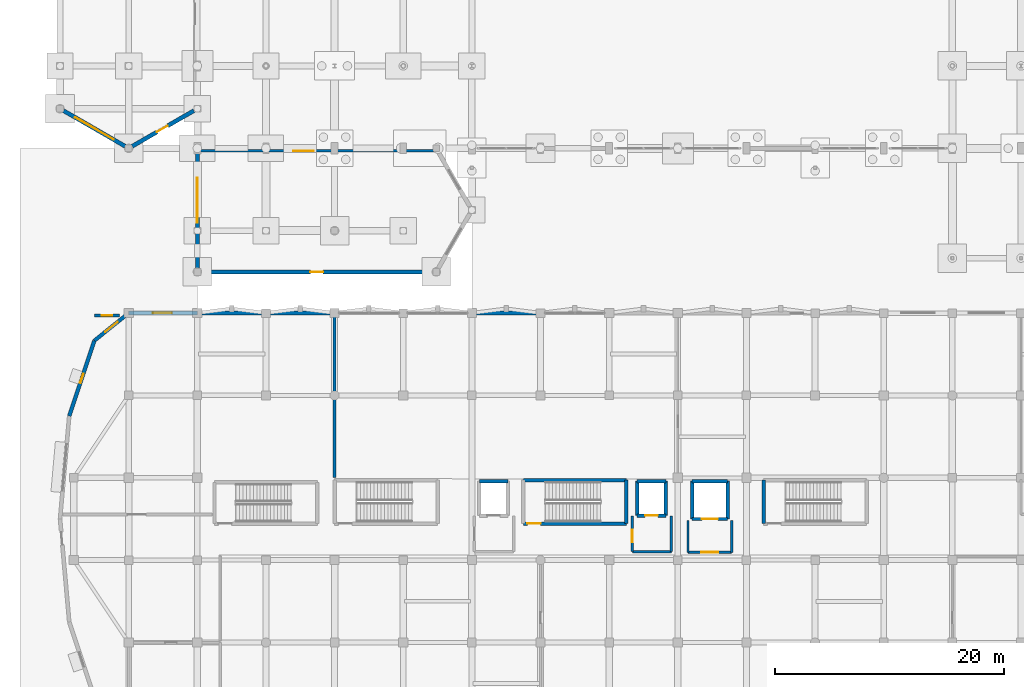
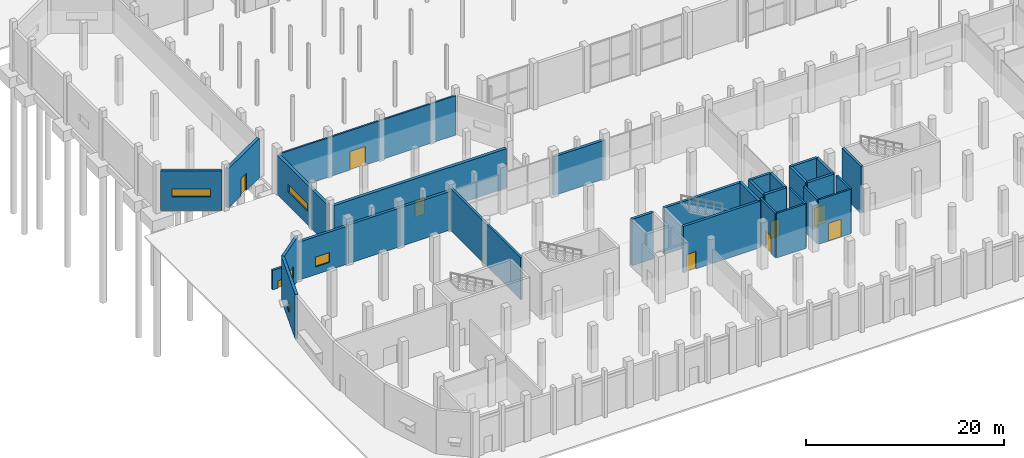
# One storey, part 76 of 103: 32 walls, 9 doors, 5 windows, 14 openings.
"""IFC4 building model written with IfcOpenShell, lengths in metres."""

from ifc_helpers import new_model, si_unit, direction, frame, frame_2d, origin, place, context, subcontext, project, spatial, rectangle, extrude, material, layer, layer_set, type_object, element, fill, save


model = new_model("IFC4")

# Units and contexts
model_context = context("Model", 3, precision=1e-05, world=origin(), true_north=direction((0.0, 1.0)))
body_context = subcontext(model_context, "Body", "Model", "MODEL_VIEW")
ifc_project = project(units=[si_unit("LENGTHUNIT", "METRE"), si_unit("AREAUNIT", "SQUARE_METRE"), si_unit("VOLUMEUNIT", "CUBIC_METRE"), si_unit("PLANEANGLEUNIT", "RADIAN"), si_unit("MASSUNIT", "GRAM", prefix="KILO")], contexts=[model_context])

# Site, building, storey
site_placement = place(None, origin())
site = spatial("IfcSite", under=ifc_project, at=site_placement, CompositionType="ELEMENT")
building_placement = place(site_placement, origin())
building = spatial("IfcBuilding", under=site, at=building_placement, Name="Dunvalen Ferry Terminal", CompositionType="ELEMENT")
storey_placement = place(building_placement, origin())
storey = spatial("IfcBuildingStorey", under=building, at=storey_placement, Name="L00", CompositionType="ELEMENT", Elevation=0.0)

# Wall, opening, door
ifc_material_1 = material(Name="Precast concrete C40/50", Category="concrete")
ifc_layer_1 = layer(ifc_material_1, 0.360107421875, Name="Precast concrete C40/50")
ifc_layer_set_1 = layer_set([ifc_layer_1], Name="Precast concrete C40/50")
wall_type_1 = type_object("IfcWallType", Name="ENV-WL-ANX360", PredefinedType="SOLIDWALL", material=ifc_layer_set_1)
wall_1_placement = place(storey_placement, frame((6.302978515625, 50.574951171875, 0.0), z_axis=(0.0, 0.0, 1.0), x_axis=(0.866025010818, 0.500000680637, 0.0)))
wall_1 = element("IfcWall", 1, at=wall_1_placement, inside=storey, type_object=wall_type_1, Name="L00 V1AW Faceted Precast Wall 01", PredefinedType="SOLIDWALL", context=body_context, shape_type="SweptSolid", body=[
    extrude(rectangle(XDim=6.228515625, YDim=0.360107421875, at=frame_2d((3.1142578125, 0.0))), origin(), (0.0, 0.0, 1.0), 4.8701171875),
])
opening_1_placement = place(wall_1_placement, frame((2.4873046875, 0.0, 0.0)))
opening_1 = element("IfcOpeningElement", 2, at=opening_1_placement, cuts=wall_1, Name="Opening ED-06", PredefinedType="OPENING", context=body_context, shape_type="SweptSolid", body=[
    extrude(rectangle(XDim=1.10009765625, YDim=2.14990234375, at=frame_2d((0.550048828125, 1.074951171875))), frame((0.0, 0.18994140625, 0.0), z_axis=(0.0, -1.0, 0.0), x_axis=(1.0, 0.0, 0.0)), (0.0, 0.0, 1.0), 0.380126953125),
])
ifc_material_2 = material(Name="Marine grade powder-coated aluminium and laminated glass", Category="aluminium")
door_type_1 = type_object("IfcDoorType", Name="ENV-DR-EXT-1100", OperationType="NOTDEFINED", PredefinedType="DOOR", material=ifc_material_2)
door_1_placement = place(opening_1_placement, frame((1.10009765625, 0.0, 0.0), z_axis=(0.0, 0.0, 1.0), x_axis=(-1.0, 0.0, 0.0)))
door_1 = element("IfcDoor", 3, at=door_1_placement, inside=storey, type_object=door_type_1, Name="L00 V1AW Exterior Discharge Door", OperationType="SINGLE_SWING_LEFT", OverallHeight=2.14990234375, OverallWidth=1.10009765625, PredefinedType="DOOR", context=body_context, shape_type="SweptSolid", body=[
    extrude(rectangle(XDim=1.10009765625, YDim=2.14990234375, at=frame_2d((0.550048828125, 1.074951171875))), frame((0.0, 0.02490234375, 0.0), z_axis=(0.0, -1.0, 0.0), x_axis=(1.0, 0.0, 0.0)), (0.0, 0.0, 1.0), 0.050048828125),
])
fill(opening_1, door_1)

# Wall, opening, window
wall_2_placement = place(storey_placement, frame((0.302978515625, 53.689208984375, 0.0), z_axis=(0.0, 0.0, 1.0), x_axis=(0.866025010818, -0.500000680637, 0.0)))
wall_2 = element("IfcWall", 4, at=wall_2_placement, inside=storey, type_object=wall_type_1, Name="L00 V1AW Faceted Precast Wall 06", PredefinedType="SOLIDWALL", context=body_context, shape_type="SweptSolid", body=[
    extrude(rectangle(XDim=6.228515625, YDim=0.360107421875, at=frame_2d((3.1142578125, 0.0))), origin(), (0.0, 0.0, 1.0), 4.8701171875),
])
opening_2_placement = place(wall_2_placement, frame((1.1640625, 0.0, 1.64990234375)))
opening_2 = element("IfcOpeningElement", 5, at=opening_2_placement, cuts=wall_2, Name="Opening W-13", PredefinedType="OPENING", context=body_context, shape_type="SweptSolid", body=[
    extrude(rectangle(XDim=3.89990234375, YDim=0.949951171875, at=frame_2d((1.949951171875, 0.47509765625))), frame((0.0, 0.18994140625, 0.0), z_axis=(0.0, -1.0, 0.0), x_axis=(1.0, 0.0, 0.0)), (0.0, 0.0, 1.0), 0.380126953125),
])
ifc_material_3 = material(Name="Thermally broken aluminium and double glazing", Category="aluminium")
window_type_1 = type_object("IfcWindowType", Name="ENV-WIN-CLR-13", PartitioningType="SINGLE_PANEL", PredefinedType="WINDOW", material=ifc_material_3)
window_1_placement = place(opening_2_placement, origin())
window_1 = element("IfcWindow", 6, at=window_1_placement, inside=storey, type_object=window_type_1, Name="L00 V1AW Clerestory Window 06", OverallHeight=0.949951171875, OverallWidth=3.89990234375, PartitioningType="SINGLE_PANEL", PredefinedType="WINDOW", context=body_context, shape_type="SweptSolid", body=[
    extrude(rectangle(XDim=3.89990234375, YDim=0.949951171875, at=frame_2d((1.949951171875, 0.47509765625))), frame((0.0, 0.030029296875, 0.0), z_axis=(0.0, -1.0, 0.0), x_axis=(1.0, 0.0, 0.0)), (0.0, 0.0, 1.0), 0.06005859375),
])
fill(opening_2, window_1)

# Wall, opening, door
wall_3_placement = place(storey_placement, frame((12.35009765625, 39.60009765625, 0.0), z_axis=(0.0, 0.0, 1.0), x_axis=(1.0, 0.0, 0.0)))
wall_3 = element("IfcWall", 7, at=wall_3_placement, inside=storey, type_object=wall_type_1, Name="L00 V1ASW Faceted Precast Wall 01", PredefinedType="SOLIDWALL", context=body_context, shape_type="SweptSolid", body=[
    extrude(rectangle(XDim=20.18212890625, YDim=0.360107421875, at=frame_2d((10.091064453125, 0.0))), origin(), (0.0, 0.0, 1.0), 4.8701171875),
])
opening_3_placement = place(wall_3_placement, frame((9.541015625, 0.0, 0.0)))
opening_3 = element("IfcOpeningElement", 8, at=opening_3_placement, cuts=wall_3, Name="Opening ED-06", PredefinedType="OPENING", context=body_context, shape_type="SweptSolid", body=[
    extrude(rectangle(XDim=1.10009765625, YDim=2.14990234375, at=frame_2d((0.550048828125, 1.074951171875))), frame((0.0, 0.18994140625, 0.0), z_axis=(0.0, -1.0, 0.0), x_axis=(1.0, 0.0, 0.0)), (0.0, 0.0, 1.0), 0.380126953125),
])
door_2_placement = place(opening_3_placement, frame((1.10009765625, 0.0, 0.0), z_axis=(0.0, 0.0, 1.0), x_axis=(-1.0, 0.0, 0.0)))
door_2 = element("IfcDoor", 9, at=door_2_placement, inside=storey, type_object=door_type_1, Name="L00 V1ASW Exterior Discharge Door", OperationType="SINGLE_SWING_RIGHT", OverallHeight=2.14990234375, OverallWidth=1.10009765625, PredefinedType="DOOR", context=body_context, shape_type="SweptSolid", body=[
    extrude(rectangle(XDim=1.10009765625, YDim=2.14990234375, at=frame_2d((0.550048828125, 1.074951171875))), frame((0.0, 0.02490234375, 0.0), z_axis=(0.0, -1.0, 0.0), x_axis=(1.0, 0.0, 0.0)), (0.0, 0.0, 1.0), 0.050048828125),
])
fill(opening_3, door_2)

# Wall, opening, window
wall_4_placement = place(storey_placement, frame((12.0, 50.050048828125, 0.0), z_axis=(0.0, 0.0, 1.0), x_axis=(0.0, -1.0, 0.0)))
wall_4 = element("IfcWall", 10, at=wall_4_placement, inside=storey, type_object=wall_type_1, Name="L00 V1ASW Faceted Precast Wall 05", PredefinedType="SOLIDWALL", context=body_context, shape_type="SweptSolid", body=[
    extrude(rectangle(XDim=10.10009765625, YDim=0.360107421875, at=frame_2d((5.050048828125, 0.0))), origin(), (0.0, 0.0, 1.0), 4.8701171875),
])
opening_4_placement = place(wall_4_placement, frame((2.24072265625, 0.0, 1.64990234375)))
opening_4 = element("IfcOpeningElement", 11, at=opening_4_placement, cuts=wall_4, Name="Opening W-13", PredefinedType="OPENING", context=body_context, shape_type="SweptSolid", body=[
    extrude(rectangle(XDim=3.89990234375, YDim=0.949951171875, at=frame_2d((1.949951171875, 0.47509765625))), frame((0.0, 0.18994140625, 0.0), z_axis=(0.0, -1.0, 0.0), x_axis=(1.0, 0.0, 0.0)), (0.0, 0.0, 1.0), 0.380126953125),
])
window_2_placement = place(opening_4_placement, origin())
window_2 = element("IfcWindow", 12, at=window_2_placement, inside=storey, type_object=window_type_1, Name="L00 V1ASW Clerestory Window 05", OverallHeight=0.949951171875, OverallWidth=3.89990234375, PartitioningType="SINGLE_PANEL", PredefinedType="WINDOW", context=body_context, shape_type="SweptSolid", body=[
    extrude(rectangle(XDim=3.89990234375, YDim=0.949951171875, at=frame_2d((1.949951171875, 0.47509765625))), frame((0.0, 0.030029296875, 0.0), z_axis=(0.0, -1.0, 0.0), x_axis=(1.0, 0.0, 0.0)), (0.0, 0.0, 1.0), 0.06005859375),
])
fill(opening_4, window_2)

# Wall, opening, door
ifc_material_4 = material(Name="Concrete C40/50", Category="concrete")
ifc_layer_2 = layer(ifc_material_4, 0.25, Name="Concrete C40/50")
ifc_layer_set_2 = layer_set([ifc_layer_2], Name="Concrete C40/50")
wall_type_2 = type_object("IfcWallType", Name="ENV-WL-OVR250", PredefinedType="SOLIDWALL", material=ifc_layer_set_2)
wall_5_placement = place(storey_placement, frame((3.0, 35.800048828125, 0.0), z_axis=(0.0, 0.0, 1.0), x_axis=(1.0, 0.0, 0.0)))
wall_5 = element("IfcWall", 13, at=wall_5_placement, inside=storey, type_object=wall_type_2, Name="L00 Marine Services Riser Bulkhead", PredefinedType="SOLIDWALL", context=body_context, shape_type="SweptSolid", body=[
    extrude(rectangle(XDim=2.199951171875, YDim=0.25, at=frame_2d((1.10009765625, 0.0))), origin(), (0.0, 0.0, 1.0), 2.39990234375),
])
opening_5_placement = place(wall_5_placement, frame((0.64990234375, 0.0, 0.0)))
opening_5 = element("IfcOpeningElement", 14, at=opening_5_placement, cuts=wall_5, Name="Opening TD-01", PredefinedType="OPENING", context=body_context, shape_type="SweptSolid", body=[
    extrude(rectangle(XDim=0.89990234375, YDim=0.89990234375, at=frame_2d((0.449951171875, 0.449951171875))), frame((0.0, 0.135009765625, 0.0), z_axis=(0.0, -1.0, 0.0), x_axis=(1.0, 0.0, 0.0)), (0.0, 0.0, 1.0), 0.27001953125),
])
door_type_2 = type_object("IfcDoorType", Name="ENV-DR-TRP-900", OperationType="SINGLE_SWING_LEFT", PredefinedType="TRAPDOOR", material=ifc_material_2)
door_3_placement = place(opening_5_placement, origin())
door_3 = element("IfcDoor", 15, at=door_3_placement, inside=storey, type_object=door_type_2, Name="L00 Riser Maintenance Access Trapdoor", OperationType="SINGLE_SWING_LEFT", OverallHeight=0.89990234375, OverallWidth=0.89990234375, PredefinedType="TRAPDOOR", context=body_context, shape_type="SweptSolid", body=[
    extrude(rectangle(XDim=0.89990234375, YDim=0.89990234375, at=frame_2d((0.449951171875, 0.449951171875))), frame((0.0, 0.02490234375, 0.0), z_axis=(0.0, -1.0, 0.0), x_axis=(1.0, 0.0, 0.0)), (0.0, 0.0, 1.0), 0.050048828125),
])
fill(opening_5, door_3)

# Walls
ifc_layer_3 = layer(ifc_material_1, 0.320068359375, Name="Precast concrete C40/50")
ifc_layer_set_3 = layer_set([ifc_layer_3], Name="Precast concrete C40/50")
wall_type_3 = type_object("IfcWallType", Name="ENV-WL-SPN320", PredefinedType="SOLIDWALL", material=ifc_layer_set_3)
for number, where, z_axis, x_axis, name in (
    (16, (42.0, 36.0, 0.0), (0.0, 0.0, 1.0), (-1.0, 0.0, 0.0), "L00 Streamline Moderne Facade Wall 08.09"),
    (17, (24.0, 36.0, 0.0), (0.0, 0.0, 1.0), (-1.0, 0.0, 0.0), "L00 Streamline Moderne Facade Wall 08.12"),
    (18, (18.0, 36.0, 0.0), (0.0, 0.0, 1.0), (-1.0, 0.0, 0.0), "L00 Streamline Moderne Facade Wall 08.13"),
):
    element("IfcWall", number, at=place(storey_placement, frame(where, z_axis=z_axis, x_axis=x_axis)), inside=storey, type_object=wall_type_3, Name=name, PredefinedType="SOLIDWALL", context=body_context, shape_type="SweptSolid", body=[
        extrude(rectangle(XDim=6.0, YDim=0.320068359375, at=frame_2d((3.0, 0.0))), origin(), (0.0, 0.0, 1.0), 4.7900390625),
    ])

# Wall, opening, window
wall_6_placement = place(storey_placement, frame((12.0, 36.0, 0.0), z_axis=(0.0, 0.0, 1.0), x_axis=(-1.0, 0.0, 0.0)))
wall_6 = element("IfcWall", 19, at=wall_6_placement, inside=storey, type_object=wall_type_3, Name="L00 Streamline Moderne Facade Wall 08.14", PredefinedType="SOLIDWALL", context=body_context, shape_type="SweptSolid", body=[
    extrude(rectangle(XDim=6.0, YDim=0.320068359375, at=frame_2d((3.0, 0.0))), origin(), (0.0, 0.0, 1.0), 4.68994140625),
])
opening_6_placement = place(wall_6_placement, frame((2.22509765625, 0.0, 0.949951171875)))
opening_6 = element("IfcOpeningElement", 20, at=opening_6_placement, cuts=wall_6, Name="Opening W-34", PredefinedType="OPENING", context=body_context, shape_type="SweptSolid", body=[
    extrude(rectangle(XDim=1.64990234375, YDim=1.199951171875, at=frame_2d((0.824951171875, 0.60009765625))), frame((0.0, 0.169921875, 0.0), z_axis=(0.0, -1.0, 0.0), x_axis=(1.0, 0.0, 0.0)), (0.0, 0.0, 1.0), 0.340087890625),
])
window_type_2 = type_object("IfcWindowType", Name="ENV-WIN-RIB-34", PartitioningType="SINGLE_PANEL", PredefinedType="WINDOW", material=ifc_material_3)
window_3_placement = place(opening_6_placement, origin())
window_3 = element("IfcWindow", 21, at=window_3_placement, inside=storey, type_object=window_type_2, Name="L00 Streamline Ribbon Window 08.14", OverallHeight=1.199951171875, OverallWidth=1.64990234375, PartitioningType="SINGLE_PANEL", PredefinedType="WINDOW", context=body_context, shape_type="SweptSolid", body=[
    extrude(rectangle(XDim=1.64990234375, YDim=1.199951171875, at=frame_2d((0.824951171875, 0.60009765625))), frame((0.0, 0.030029296875, 0.0), z_axis=(0.0, -1.0, 0.0), x_axis=(1.0, 0.0, 0.0)), (0.0, 0.0, 1.0), 0.06005859375),
])
fill(opening_6, window_3)

wall_7_placement = place(storey_placement, frame((6.0, 36.0, 0.0), z_axis=(0.0, 0.0, 1.0), x_axis=(-0.779393889884, -0.626534248395, 0.0)))
wall_7 = element("IfcWall", 22, at=wall_7_placement, inside=storey, type_object=wall_type_3, Name="L00 Streamline Moderne Facade Wall 09.01", PredefinedType="SOLIDWALL", context=body_context, shape_type="SweptSolid", body=[
    extrude(rectangle(XDim=3.84912109375, YDim=0.320068359375, at=frame_2d((1.924560546875, 0.0))), origin(), (0.0, 0.0, 1.0), 5.4599609375),
])
opening_7_placement = place(wall_7_placement, frame((1.224609375, 0.0, 1.14990234375)))
opening_7 = element("IfcOpeningElement", 23, at=opening_7_placement, cuts=wall_7, Name="Opening W-19", PredefinedType="OPENING", context=body_context, shape_type="SweptSolid", body=[
    extrude(rectangle(XDim=1.39990234375, YDim=1.39990234375, at=frame_2d((0.699951171875, 0.699951171875))), frame((0.0, 0.169921875, 0.0), z_axis=(0.0, -1.0, 0.0), x_axis=(1.0, 0.0, 0.0)), (0.0, 0.0, 1.0), 0.340087890625),
])
window_type_3 = type_object("IfcWindowType", Name="ENV-WIN-PRT-19", PartitioningType="SINGLE_PANEL", PredefinedType="WINDOW", material=ifc_material_3)
window_4_placement = place(opening_7_placement, origin())
window_4 = element("IfcWindow", 24, at=window_4_placement, inside=storey, type_object=window_type_3, Name="L00 Streamline Ribbon Window 09.01", OverallHeight=1.39990234375, OverallWidth=1.39990234375, PartitioningType="SINGLE_PANEL", PredefinedType="WINDOW", context=body_context, shape_type="SweptSolid", body=[
    extrude(rectangle(XDim=1.39990234375, YDim=1.39990234375, at=frame_2d((0.699951171875, 0.699951171875))), frame((0.0, 0.030029296875, 0.0), z_axis=(0.0, -1.0, 0.0), x_axis=(1.0, 0.0, 0.0)), (0.0, 0.0, 1.0), 0.06005859375),
])
fill(opening_7, window_4)

wall_8_placement = place(storey_placement, frame((3.0, 33.58837890625, 0.0), z_axis=(0.0, 0.0, 1.0), x_axis=(-0.31624885857, -0.948676266939, 0.0)))
wall_8 = element("IfcWall", 25, at=wall_8_placement, inside=storey, type_object=wall_type_3, Name="L00 Streamline Moderne Facade Wall 10.01", PredefinedType="SOLIDWALL", context=body_context, shape_type="SweptSolid", body=[
    extrude(rectangle(XDim=6.94482421875, YDim=0.320068359375, at=frame_2d((3.472412109375, 0.0))), origin(), (0.0, 0.0, 1.0), 5.4599609375),
])
opening_8_placement = place(wall_8_placement, frame((3.04736328125, 0.0, 1.14990234375)))
opening_8 = element("IfcOpeningElement", 26, at=opening_8_placement, cuts=wall_8, Name="Opening W-20", PredefinedType="OPENING", context=body_context, shape_type="SweptSolid", body=[
    extrude(rectangle(XDim=0.85009765625, YDim=0.85009765625, at=frame_2d((0.425048828125, 0.425048828125))), frame((0.0, 0.169921875, 0.0), z_axis=(0.0, -1.0, 0.0), x_axis=(1.0, 0.0, 0.0)), (0.0, 0.0, 1.0), 0.340087890625),
])
window_type_4 = type_object("IfcWindowType", Name="ENV-WIN-PRT-20", PartitioningType="SINGLE_PANEL", PredefinedType="WINDOW", material=ifc_material_3)
window_5_placement = place(opening_8_placement, origin())
window_5 = element("IfcWindow", 27, at=window_5_placement, inside=storey, type_object=window_type_4, Name="L00 Streamline Ribbon Window 10.01", OverallHeight=0.85009765625, OverallWidth=0.85009765625, PartitioningType="SINGLE_PANEL", PredefinedType="WINDOW", context=body_context, shape_type="SweptSolid", body=[
    extrude(rectangle(XDim=0.85009765625, YDim=0.85009765625, at=frame_2d((0.425048828125, 0.425048828125))), frame((0.0, 0.030029296875, 0.0), z_axis=(0.0, -1.0, 0.0), x_axis=(1.0, 0.0, 0.0)), (0.0, 0.0, 1.0), 0.06005859375),
])
fill(opening_8, window_5)

# Wall
ifc_material_5 = material(Name="Autoclaved aerated concrete blockwork", Category="masonry")
ifc_layer_4 = layer(ifc_material_5, 0.199951171875, Name="Autoclaved aerated concrete blockwork")
ifc_layer_set_4 = layer_set([ifc_layer_4], Name="Autoclaved aerated concrete blockwork")
wall_type_4 = type_object("IfcWallType", Name="INT-WL-CMP200", PredefinedType="PARTITIONING", material=ifc_layer_set_4)
wall_9_placement = place(storey_placement, frame((54.889892578125, 17.860107421875, 0.0), z_axis=(0.0, 0.0, 1.0), x_axis=(0.0, -1.0, 0.0)))
element("IfcWall", 28, at=wall_9_placement, inside=storey, type_object=wall_type_4, Name="L00 L00 Lift Lobby LG-01 Partition 1", PredefinedType="PARTITIONING", context=body_context, shape_type="SweptSolid", body=[
    extrude(rectangle(XDim=2.77001953125, YDim=0.199951171875, at=frame_2d((1.385009765625, 0.0))), origin(), (0.0, 0.0, 1.0), 5.5),
])

# Wall, opening, door
wall_10_placement = place(storey_placement, frame((54.889892578125, 15.090087890625, 0.0), z_axis=(0.0, 0.0, 1.0), x_axis=(1.0, 0.0, 0.0)))
wall_10 = element("IfcWall", 29, at=wall_10_placement, inside=storey, type_object=wall_type_4, Name="L00 L00 Lift Lobby LG-01 Partition 2", PredefinedType="PARTITIONING", context=body_context, shape_type="SweptSolid", body=[
    extrude(rectangle(XDim=3.820068359375, YDim=0.199951171875, at=frame_2d((1.91015625, 0.0))), origin(), (0.0, 0.0, 1.0), 5.5),
])
opening_9_placement = place(wall_10_placement, frame((1.159912109375, 0.0, 0.0)))
opening_9 = element("IfcOpeningElement", 30, at=opening_9_placement, cuts=wall_10, Name="Opening ID-04", PredefinedType="OPENING", context=body_context, shape_type="SweptSolid", body=[
    extrude(rectangle(XDim=1.5, YDim=2.199951171875, at=frame_2d((0.75, 1.10009765625))), frame((0.0, 0.10986328125, 0.0), z_axis=(0.0, -1.0, 0.0), x_axis=(1.0, 0.0, 0.0)), (0.0, 0.0, 1.0), 0.219970703125),
])
ifc_material_6 = material(Name="Anodised aluminium glazed fire door", Category="aluminium")
door_type_3 = type_object("IfcDoorType", Name="INT-DR-LOB-1500", OperationType="DOUBLE_SWING_LEFT", PredefinedType="DOOR", material=ifc_material_6)
door_4_placement = place(opening_9_placement, origin())
door_4 = element("IfcDoor", 31, at=door_4_placement, inside=storey, type_object=door_type_3, Name="L00 Lift Lobby LG-01 Door", OperationType="DOUBLE_SWING_LEFT", OverallHeight=2.199951171875, OverallWidth=1.5, PredefinedType="DOOR", context=body_context, shape_type="SweptSolid", body=[
    extrude(rectangle(XDim=1.5, YDim=2.199951171875, at=frame_2d((0.75, 1.10009765625))), frame((0.0, 0.02490234375, 0.0), z_axis=(0.0, -1.0, 0.0), x_axis=(1.0, 0.0, 0.0)), (0.0, 0.0, 1.0), 0.050048828125),
])
fill(opening_9, door_4)

# Wall
wall_11_placement = place(storey_placement, frame((58.7099609375, 15.090087890625, 0.0), z_axis=(0.0, 0.0, 1.0), x_axis=(0.0, 1.0, 0.0)))
element("IfcWall", 32, at=wall_11_placement, inside=storey, type_object=wall_type_4, Name="L00 L00 Lift Lobby LG-01 Partition 3", PredefinedType="PARTITIONING", context=body_context, shape_type="SweptSolid", body=[
    extrude(rectangle(XDim=2.77001953125, YDim=0.199951171875, at=frame_2d((1.385009765625, 0.0))), origin(), (0.0, 0.0, 1.0), 5.5),
])

# Wall, opening, door
wall_12_placement = place(storey_placement, frame((32.75537109375, 50.179931640625, 0.0), z_axis=(0.0, 0.0, 1.0), x_axis=(-1.0, 0.0, 0.0)))
wall_12 = element("IfcWall", 33, at=wall_12_placement, inside=storey, type_object=wall_type_4, Name="L00 L00 Passenger Security Screening Hall Partition 5", PredefinedType="PARTITIONING", context=body_context, shape_type="SweptSolid", body=[
    extrude(rectangle(XDim=20.535400390625, YDim=0.199951171875, at=frame_2d((10.267578125, 0.0))), origin(), (0.0, 0.0, 1.0), 4.8701171875),
])
opening_10_placement = place(wall_12_placement, frame((10.5712890625, 0.0, 0.0)))
opening_10 = element("IfcOpeningElement", 34, at=opening_10_placement, cuts=wall_12, Name="Opening ID-07", PredefinedType="OPENING", context=body_context, shape_type="SweptSolid", body=[
    extrude(rectangle(XDim=1.800048828125, YDim=2.300048828125, at=frame_2d((0.89990234375, 1.14990234375))), frame((0.0, 0.10986328125, 0.0), z_axis=(0.0, -1.0, 0.0), x_axis=(1.0, 0.0, 0.0)), (0.0, 0.0, 1.0), 0.219970703125),
])
ifc_material_7 = material(Name="Thermally broken aluminium fire door", Category="aluminium")
door_type_4 = type_object("IfcDoorType", Name="INT-DR-ANX-1800", OperationType="DOUBLE_SWING_LEFT", PredefinedType="DOOR", material=ifc_material_7)
door_5_placement = place(opening_10_placement, origin())
door_5 = element("IfcDoor", 35, at=door_5_placement, inside=storey, type_object=door_type_4, Name="L00 Passenger Security Screening Hall Door", OperationType="DOUBLE_SWING_LEFT", OverallHeight=2.300048828125, OverallWidth=1.800048828125, PredefinedType="DOOR", context=body_context, shape_type="SweptSolid", body=[
    extrude(rectangle(XDim=1.800048828125, YDim=2.300048828125, at=frame_2d((0.89990234375, 1.14990234375))), frame((0.0, 0.02490234375, 0.0), z_axis=(0.0, -1.0, 0.0), x_axis=(1.0, 0.0, 0.0)), (0.0, 0.0, 1.0), 0.050048828125),
])
fill(opening_10, door_5)

ifc_material_8 = material(Name="Concrete C35/45", Category="concrete")
ifc_layer_5 = layer(ifc_material_8, 0.219970703125, Name="Concrete C35/45")
ifc_layer_set_5 = layer_set([ifc_layer_5], Name="Concrete C35/45")
wall_type_5 = type_object("IfcWallType", Name="INT-WL-CMP220", PredefinedType="SOLIDWALL", material=ifc_layer_set_5)
wall_13_placement = place(storey_placement, frame((50.02001953125, 18.25, 0.0), z_axis=(0.0, 0.0, 1.0), x_axis=(0.0, -1.0, 0.0)))
wall_13 = element("IfcWall", 36, at=wall_13_placement, inside=storey, type_object=wall_type_5, Name="L00 L00 Firefighting Lift Lobby LF-02 Partition 2", PredefinedType="SOLIDWALL", context=body_context, shape_type="SweptSolid", body=[
    extrude(rectangle(XDim=3.110107421875, YDim=0.219970703125, at=frame_2d((1.55517578125, 0.0))), origin(), (0.0, 0.0, 1.0), 5.5),
])
opening_11_placement = place(wall_13_placement, frame((1.171142578125, 0.0, 0.0)))
opening_11 = element("IfcOpeningElement", 37, at=opening_11_placement, cuts=wall_13, Name="Opening ID-03", PredefinedType="OPENING", context=body_context, shape_type="SweptSolid", body=[
    extrude(rectangle(XDim=1.10009765625, YDim=2.14990234375, at=frame_2d((0.550048828125, 1.074951171875))), frame((0.0, 0.1201171875, 0.0), z_axis=(0.0, -1.0, 0.0), x_axis=(1.0, 0.0, 0.0)), (0.0, 0.0, 1.0), 0.239990234375),
])
ifc_material_9 = material(Name="Powder-coated steel fire door", Category="steel")
door_type_5 = type_object("IfcDoorType", Name="INT-DR-FFL-1100", OperationType="NOTDEFINED", PredefinedType="DOOR", material=ifc_material_9)
door_6_placement = place(opening_11_placement, origin())
door_6 = element("IfcDoor", 38, at=door_6_placement, inside=storey, type_object=door_type_5, Name="L00 Firefighting Lift Lobby LF-02 Door", OperationType="SINGLE_SWING_LEFT", OverallHeight=2.14990234375, OverallWidth=1.10009765625, PredefinedType="DOOR", context=body_context, shape_type="SweptSolid", body=[
    extrude(rectangle(XDim=1.10009765625, YDim=2.14990234375, at=frame_2d((0.550048828125, 1.074951171875))), frame((0.0, 0.02490234375, 0.0), z_axis=(0.0, -1.0, 0.0), x_axis=(1.0, 0.0, 0.0)), (0.0, 0.0, 1.0), 0.050048828125),
])
fill(opening_11, door_6)

# Walls
wall_14_placement = place(storey_placement, frame((50.02001953125, 15.139892578125, 0.0), z_axis=(0.0, 0.0, 1.0), x_axis=(1.0, 0.0, 0.0)))
element("IfcWall", 39, at=wall_14_placement, inside=storey, type_object=wall_type_5, Name="L00 L00 Firefighting Lift Lobby LF-02 Partition 3", PredefinedType="SOLIDWALL", context=body_context, shape_type="SweptSolid", body=[
    extrude(rectangle(XDim=3.419921875, YDim=0.219970703125, at=frame_2d((1.7099609375, 0.0))), origin(), (0.0, 0.0, 1.0), 5.5),
])
wall_15_placement = place(storey_placement, frame((53.43994140625, 15.139892578125, 0.0), z_axis=(0.0, 0.0, 1.0), x_axis=(0.0, 1.0, 0.0)))
element("IfcWall", 40, at=wall_15_placement, inside=storey, type_object=wall_type_5, Name="L00 L00 Firefighting Lift Lobby LF-02 Partition 4", PredefinedType="SOLIDWALL", context=body_context, shape_type="SweptSolid", body=[
    extrude(rectangle(XDim=3.110107421875, YDim=0.219970703125, at=frame_2d((1.55517578125, 0.0))), origin(), (0.0, 0.0, 1.0), 5.5),
])
ifc_layer_6 = layer(ifc_material_8, 0.260009765625, Name="Concrete C35/45")
ifc_layer_set_6 = layer_set([ifc_layer_6], Name="Concrete C35/45")
wall_type_6 = type_object("IfcWallType", Name="INT-WL-CMP260", PredefinedType="SOLIDWALL", material=ifc_layer_set_6)
wall_16_placement = place(storey_placement, frame((24.0, 21.610107421875, 0.0), z_axis=(0.0, 0.0, 1.0), x_axis=(0.0, 1.0, 0.0)))
element("IfcWall", 41, at=wall_16_placement, inside=storey, type_object=wall_type_6, Name="L00 L00 Terminal Switchgear and Communications Plant Room Partition 7", PredefinedType="SOLIDWALL", context=body_context, shape_type="SweptSolid", body=[
    extrude(rectangle(XDim=14.169921875, YDim=0.260009765625, at=frame_2d((7.0849609375, 0.0))), origin(), (0.0, 0.0, 1.0), 5.199951171875),
])
ifc_layer_7 = layer(ifc_material_4, 0.300048828125, Name="Concrete C40/50")
ifc_layer_set_7 = layer_set([ifc_layer_7], Name="Concrete C40/50")
wall_type_7 = type_object("IfcWallType", Name="STR-WL-SHR300", PredefinedType="SHEAR", material=ifc_layer_set_7)
for number, where, z_axis, x_axis, name in (
    (42, (49.5, 17.60009765625, 0.0), (0.0, 0.0, 1.0), (0.0, 1.0, 0.0), "L00 ST2 Core East Shear Wall"),
    (43, (61.5, 17.60009765625, 0.0), (0.0, 0.0, 1.0), (0.0, 1.0, 0.0), "L00 ST3 Core West Shear Wall"),
):
    element("IfcWall", number, at=place(storey_placement, frame(where, z_axis=z_axis, x_axis=x_axis)), inside=storey, type_object=wall_type_7, Name=name, PredefinedType="SHEAR", context=body_context, shape_type="SweptSolid", body=[
        extrude(rectangle(XDim=3.7998046875, YDim=0.300048828125, at=frame_2d((1.89990234375, 0.0))), origin(), (0.0, 0.0, 1.0), 5.760009765625),
    ])
wall_17_placement = place(storey_placement, frame((40.5, 21.39990234375, 0.0), z_axis=(0.0, 0.0, 1.0), x_axis=(1.0, 0.0, 0.0)))
element("IfcWall", 44, at=wall_17_placement, inside=storey, type_object=wall_type_7, Name="L00 ST2 Core North Shear Wall", PredefinedType="SHEAR", context=body_context, shape_type="SweptSolid", body=[
    extrude(rectangle(XDim=9.0, YDim=0.300048828125, at=frame_2d((4.5, 0.0))), origin(), (0.0, 0.0, 1.0), 5.760009765625),
])

# Wall, opening, door
wall_18_placement = place(storey_placement, frame((40.5, 17.60009765625, 0.0), z_axis=(0.0, 0.0, 1.0), x_axis=(1.0, 0.0, 0.0)))
wall_18 = element("IfcWall", 45, at=wall_18_placement, inside=storey, type_object=wall_type_7, Name="L00 ST2 Core South Shear Wall", PredefinedType="SHEAR", context=body_context, shape_type="SweptSolid", body=[
    extrude(rectangle(XDim=9.0, YDim=0.300048828125, at=frame_2d((4.5, 0.0))), origin(), (0.0, 0.0, 1.0), 5.760009765625),
])
opening_12_placement = place(wall_18_placement, frame((0.35009765625, 0.0, 0.0)))
opening_12 = element("IfcOpeningElement", 46, at=opening_12_placement, cuts=wall_18, Name="Opening ID-02", PredefinedType="OPENING", context=body_context, shape_type="SweptSolid", body=[
    extrude(rectangle(XDim=1.14990234375, YDim=2.14990234375, at=frame_2d((0.574951171875, 1.074951171875))), frame((0.0, 0.16015625, 0.0), z_axis=(0.0, -1.0, 0.0), x_axis=(1.0, 0.0, 0.0)), (0.0, 0.0, 1.0), 0.320068359375),
])
door_type_6 = type_object("IfcDoorType", Name="INT-DR-STR-1150", OperationType="NOTDEFINED", PredefinedType="DOOR", material=ifc_material_9)
door_7_placement = place(opening_12_placement, frame((1.14990234375, 0.0, 0.0), z_axis=(0.0, 0.0, 1.0), x_axis=(-1.0, 0.0, 0.0)))
door_7 = element("IfcDoor", 47, at=door_7_placement, inside=storey, type_object=door_type_6, Name="L00 ST2 Escape Stair Fire Door", OperationType="SINGLE_SWING_RIGHT", OverallHeight=2.14990234375, OverallWidth=1.14990234375, PredefinedType="DOOR", context=body_context, shape_type="SweptSolid", body=[
    extrude(rectangle(XDim=1.14990234375, YDim=2.14990234375, at=frame_2d((0.574951171875, 1.074951171875))), frame((0.0, 0.02490234375, 0.0), z_axis=(0.0, -1.0, 0.0), x_axis=(1.0, 0.0, 0.0)), (0.0, 0.0, 1.0), 0.050048828125),
])
fill(opening_12, door_7)

# Wall
wall_19_placement = place(storey_placement, frame((36.64990234375, 21.300048828125, 0.0), z_axis=(0.0, 0.0, 1.0), x_axis=(1.0, 0.0, 0.0)))
element("IfcWall", 48, at=wall_19_placement, inside=storey, type_object=wall_type_7, Name="L00 LF-01 Lift Shaft N Wall", PredefinedType="SHEAR", context=body_context, shape_type="SweptSolid", body=[
    extrude(rectangle(XDim=2.5, YDim=0.300048828125, at=frame_2d((1.25, 0.0))), origin(), (0.0, 0.0, 1.0), 5.760009765625),
])

# Wall, opening, door
wall_20_placement = place(storey_placement, frame((50.449951171875, 18.300048828125, 0.0), z_axis=(0.0, 0.0, 1.0), x_axis=(1.0, 0.0, 0.0)))
wall_20 = element("IfcWall", 49, at=wall_20_placement, inside=storey, type_object=wall_type_7, Name="L00 LF-02 Lift Shaft S Wall", PredefinedType="SHEAR", context=body_context, shape_type="SweptSolid", body=[
    extrude(rectangle(XDim=2.5, YDim=0.300048828125, at=frame_2d((1.25, 0.0))), origin(), (0.0, 0.0, 1.0), 5.760009765625),
])
opening_13_placement = place(wall_20_placement, frame((0.699951171875, 0.0, 0.0)))
opening_13 = element("IfcOpeningElement", 50, at=opening_13_placement, cuts=wall_20, Name="Opening LD-01", PredefinedType="OPENING", context=body_context, shape_type="SweptSolid", body=[
    extrude(rectangle(XDim=1.10009765625, YDim=2.10009765625, at=frame_2d((0.550048828125, 1.050048828125))), frame((0.0, 0.16015625, 0.0), z_axis=(0.0, -1.0, 0.0), x_axis=(1.0, 0.0, 0.0)), (0.0, 0.0, 1.0), 0.320068359375),
])
ifc_material_10 = material(Name="Brushed 316 stainless steel", Category="steel")
door_type_7 = type_object("IfcDoorType", Name="INT-DR-LFT-1100", OperationType="SLIDING_TO_LEFT", PredefinedType="DOOR", material=ifc_material_10)
door_8_placement = place(opening_13_placement, origin())
door_8 = element("IfcDoor", 51, at=door_8_placement, inside=storey, type_object=door_type_7, Name="L00 LF-02 Lift Sliding Landing Door", OperationType="SLIDING_TO_LEFT", OverallHeight=2.10009765625, OverallWidth=1.10009765625, PredefinedType="DOOR", context=body_context, shape_type="SweptSolid", body=[
    extrude(rectangle(XDim=1.10009765625, YDim=2.10009765625, at=frame_2d((0.550048828125, 1.050048828125))), frame((0.0, 0.02490234375, 0.0), z_axis=(0.0, -1.0, 0.0), x_axis=(1.0, 0.0, 0.0)), (0.0, 0.0, 1.0), 0.050048828125),
])
fill(opening_13, door_8)

# Walls
wall_21_placement = place(storey_placement, frame((50.449951171875, 21.300048828125, 0.0), z_axis=(0.0, 0.0, 1.0), x_axis=(1.0, 0.0, 0.0)))
element("IfcWall", 52, at=wall_21_placement, inside=storey, type_object=wall_type_7, Name="L00 LF-02 Lift Shaft N Wall", PredefinedType="SHEAR", context=body_context, shape_type="SweptSolid", body=[
    extrude(rectangle(XDim=2.5, YDim=0.300048828125, at=frame_2d((1.25, 0.0))), origin(), (0.0, 0.0, 1.0), 5.760009765625),
])
for number, where, z_axis, x_axis, name in (
    (53, (50.449951171875, 18.300048828125, 0.0), (0.0, 0.0, 1.0), (0.0, 1.0, 0.0), "L00 LF-02 Lift Shaft W Wall"),
    (54, (52.949951171875, 18.300048828125, 0.0), (0.0, 0.0, 1.0), (0.0, 1.0, 0.0), "L00 LF-02 Lift Shaft E Wall"),
):
    element("IfcWall", number, at=place(storey_placement, frame(where, z_axis=z_axis, x_axis=x_axis)), inside=storey, type_object=wall_type_7, Name=name, PredefinedType="SHEAR", context=body_context, shape_type="SweptSolid", body=[
        extrude(rectangle(XDim=3.0, YDim=0.300048828125, at=frame_2d((1.5, 0.0))), origin(), (0.0, 0.0, 1.0), 5.760009765625),
    ])

# Wall, opening, door
wall_22_placement = place(storey_placement, frame((55.25, 18.0, 0.0), z_axis=(0.0, 0.0, 1.0), x_axis=(1.0, 0.0, 0.0)))
wall_22 = element("IfcWall", 55, at=wall_22_placement, inside=storey, type_object=wall_type_7, Name="L00 LG-01 Lift Shaft S Wall", PredefinedType="SHEAR", context=body_context, shape_type="SweptSolid", body=[
    extrude(rectangle(XDim=3.10009765625, YDim=0.300048828125, at=frame_2d((1.550048828125, 0.0))), origin(), (0.0, 0.0, 1.0), 5.760009765625),
])
opening_14_placement = place(wall_22_placement, frame((0.85009765625, 0.0, 0.0)))
opening_14 = element("IfcOpeningElement", 56, at=opening_14_placement, cuts=wall_22, Name="Opening LD-03", PredefinedType="OPENING", context=body_context, shape_type="SweptSolid", body=[
    extrude(rectangle(XDim=1.39990234375, YDim=2.25, at=frame_2d((0.699951171875, 1.125))), frame((0.0, 0.16015625, 0.0), z_axis=(0.0, -1.0, 0.0), x_axis=(1.0, 0.0, 0.0)), (0.0, 0.0, 1.0), 0.320068359375),
])
door_type_8 = type_object("IfcDoorType", Name="INT-DR-LFT-1400", OperationType="SLIDING_TO_LEFT", PredefinedType="DOOR", material=ifc_material_10)
door_9_placement = place(opening_14_placement, origin())
door_9 = element("IfcDoor", 57, at=door_9_placement, inside=storey, type_object=door_type_8, Name="L00 LG-01 Lift Sliding Landing Door", OperationType="SLIDING_TO_LEFT", OverallHeight=2.25, OverallWidth=1.39990234375, PredefinedType="DOOR", context=body_context, shape_type="SweptSolid", body=[
    extrude(rectangle(XDim=1.39990234375, YDim=2.25, at=frame_2d((0.699951171875, 1.125))), frame((0.0, 0.02490234375, 0.0), z_axis=(0.0, -1.0, 0.0), x_axis=(1.0, 0.0, 0.0)), (0.0, 0.0, 1.0), 0.050048828125),
])
fill(opening_14, door_9)

# Walls
wall_23_placement = place(storey_placement, frame((55.25, 21.300048828125, 0.0), z_axis=(0.0, 0.0, 1.0), x_axis=(1.0, 0.0, 0.0)))
element("IfcWall", 58, at=wall_23_placement, inside=storey, type_object=wall_type_7, Name="L00 LG-01 Lift Shaft N Wall", PredefinedType="SHEAR", context=body_context, shape_type="SweptSolid", body=[
    extrude(rectangle(XDim=3.10009765625, YDim=0.300048828125, at=frame_2d((1.550048828125, 0.0))), origin(), (0.0, 0.0, 1.0), 5.760009765625),
])
for number, where, z_axis, x_axis, name in (
    (59, (55.25, 18.0, 0.0), (0.0, 0.0, 1.0), (0.0, 1.0, 0.0), "L00 LG-01 Lift Shaft W Wall"),
    (60, (58.35009765625, 18.0, 0.0), (0.0, 0.0, 1.0), (0.0, 1.0, 0.0), "L00 LG-01 Lift Shaft E Wall"),
):
    element("IfcWall", number, at=place(storey_placement, frame(where, z_axis=z_axis, x_axis=x_axis)), inside=storey, type_object=wall_type_7, Name=name, PredefinedType="SHEAR", context=body_context, shape_type="SweptSolid", body=[
        extrude(rectangle(XDim=3.300048828125, YDim=0.300048828125, at=frame_2d((1.64990234375, 0.0))), origin(), (0.0, 0.0, 1.0), 5.760009765625),
    ])

save(model, "model.ifc")
